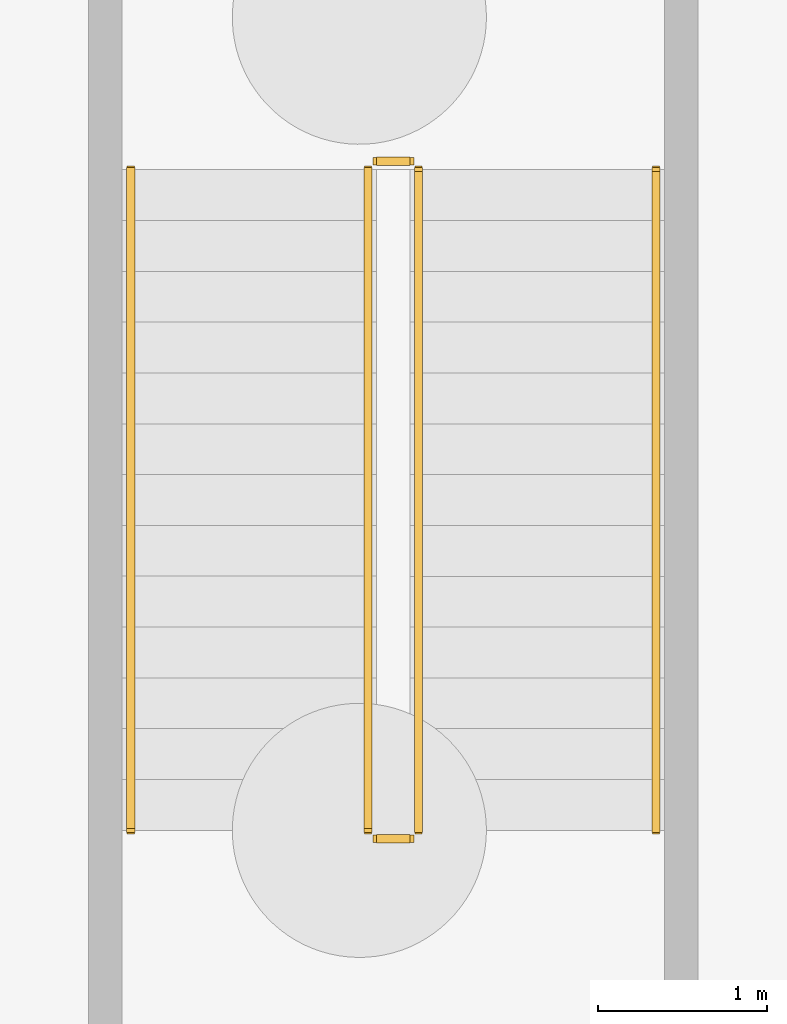
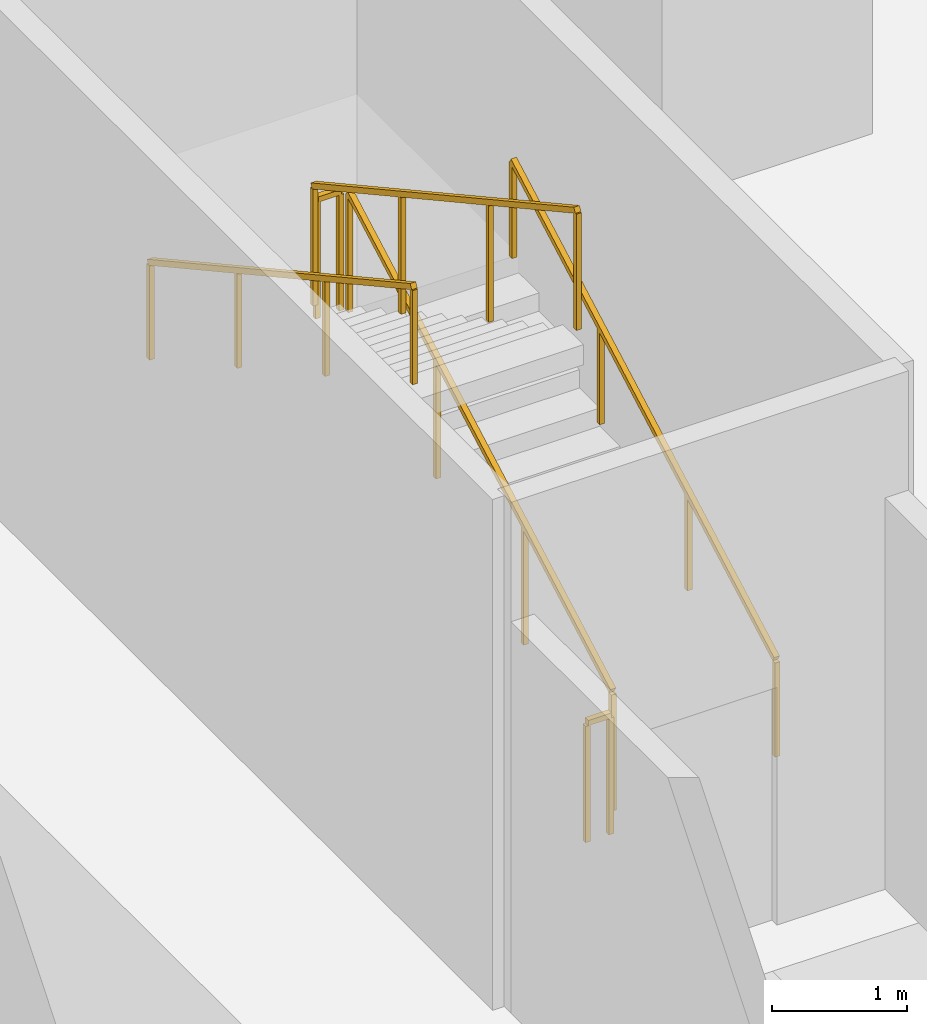
# One storey, part 11 of 14: 6 railings.
"""IFC4 building model written with IfcOpenShell, lengths in metres."""

from ifc_helpers import new_model, si_unit, direction, frame, origin, place, context, subcontext, project, spatial, rectangle, extrude, material, type_object, element, save


model = new_model("IFC4")

# Units and contexts
model_context = context("Model", 3, precision=1e-05, world=origin(), true_north=direction((0.0, 1.0)))
body_context = subcontext(model_context, "Body", "Model", "MODEL_VIEW")
ifc_project = project(units=[si_unit("LENGTHUNIT", "METRE"), si_unit("AREAUNIT", "SQUARE_METRE"), si_unit("VOLUMEUNIT", "CUBIC_METRE"), si_unit("PLANEANGLEUNIT", "RADIAN"), si_unit("MASSUNIT", "GRAM", prefix="KILO")], contexts=[model_context])

# Site, building, storey
site_placement = place(None, origin())
site = spatial("IfcSite", under=ifc_project, at=site_placement, CompositionType="ELEMENT")
building_placement = place(site_placement, origin())
building = spatial("IfcBuilding", under=site, at=building_placement, Name="Tanjung Sevakor Pilgrim Tower", CompositionType="ELEMENT")
storey_placement = place(building_placement, frame((0.0, 0.0, -9.239990234375)))
storey = spatial("IfcBuildingStorey", under=building, at=storey_placement, Name="B02", CompositionType="ELEMENT", Elevation=-9.239990234375)

# Railings
ifc_material_1 = material(Name="Steel S355J2", Category="steel")
railing_type_1 = type_object("IfcRailingType", Name="RL-STAIR-GUARD", PredefinedType="GUARDRAIL", material=ifc_material_1)
railing_1_placement = place(storey_placement, frame((6.75, 52.89990234375, 0.1650390625)))
element("IfcRailing", 1, at=railing_1_placement, inside=storey, type_object=railing_type_1, Name="B02 BS-2 stair guard 1", PredefinedType="GUARDRAIL", context=body_context, shape_type="SweptSolid", body=[
    extrude(rectangle(XDim=0.0479, YDim=0.0479), frame((0.0, 0.0, 1.076171875), z_axis=(0.0, 0.876221698874, 0.481908221991), x_axis=(-1.0, 0.0, 0.0)), (0.0, 0.0, 1.0), 4.451171875),
    extrude(rectangle(XDim=0.042, YDim=0.042), origin(), (0.0, 0.0, 1.0), 1.052001953125),
    extrude(rectangle(XDim=0.042, YDim=0.042), frame((0.0, 1.300048828125, 0.715087890625)), (0.0, 0.0, 1.0), 1.052001953125),
    extrude(rectangle(XDim=0.042, YDim=0.042), frame((0.0, 2.60009765625, 1.429931640625)), (0.0, 0.0, 1.0), 1.052001953125),
    extrude(rectangle(XDim=0.042, YDim=0.042), frame((0.0, 3.900146484375, 2.14501953125)), (0.0, 0.0, 1.0), 1.052001953125),
])
railing_2_placement = place(storey_placement, frame((6.699951171875, 56.85009765625, 2.31005859375)))
element("IfcRailing", 2, at=railing_2_placement, inside=storey, type_object=railing_type_1, Name="B02 BS-2 stair guard 2", PredefinedType="GUARDRAIL", context=body_context, shape_type="SweptSolid", body=[
    extrude(rectangle(XDim=0.0479, YDim=0.0479), frame((0.0, 0.0, 1.076171875), z_axis=(-1.0, 0.0, 0.0), x_axis=(0.0, -1.0, 0.0)), (0.0, 0.0, 1.0), 0.199951171875),
    extrude(rectangle(XDim=0.042, YDim=0.042), origin(), (0.0, 0.0, 1.0), 1.052001953125),
    extrude(rectangle(XDim=0.042, YDim=0.042), frame((-0.199951171875, 0.0, 0.0)), (0.0, 0.0, 1.0), 1.052001953125),
])
railing_3_placement = place(storey_placement, frame((6.449951171875, 56.800048828125, 2.47509765625)))
element("IfcRailing", 3, at=railing_3_placement, inside=storey, type_object=railing_type_1, Name="B02 BS-2 stair guard 3", PredefinedType="GUARDRAIL", context=body_context, shape_type="SweptSolid", body=[
    extrude(rectangle(XDim=0.0479, YDim=0.0479), frame((0.0, 0.0, 1.076171875), z_axis=(0.0, -0.876244859163, 0.481866108779), x_axis=(1.0, 0.0, 0.0)), (0.0, 0.0, 1.0), 4.450927734375),
    extrude(rectangle(XDim=0.042, YDim=0.042), origin(), (0.0, 0.0, 1.0), 1.052001953125),
    extrude(rectangle(XDim=0.042, YDim=0.042), frame((0.0, -1.300048828125, 0.71484375)), (0.0, 0.0, 1.0), 1.052001953125),
    extrude(rectangle(XDim=0.042, YDim=0.042), frame((0.0, -2.60009765625, 1.429931640625)), (0.0, 0.0, 1.0), 1.052001953125),
    extrude(rectangle(XDim=0.042, YDim=0.042), frame((0.0, -3.900146484375, 2.144775390625)), (0.0, 0.0, 1.0), 1.052001953125),
])
railing_4_placement = place(storey_placement, frame((6.699951171875, 52.85009765625, 0.0)))
element("IfcRailing", 4, at=railing_4_placement, inside=storey, type_object=railing_type_1, Name="B02 BS-2 stair guard 4", PredefinedType="GUARDRAIL", context=body_context, shape_type="SweptSolid", body=[
    extrude(rectangle(XDim=0.0479, YDim=0.0479), frame((0.0, 0.0, 1.076171875), z_axis=(-1.0, 0.0, 0.0), x_axis=(0.0, -1.0, 0.0)), (0.0, 0.0, 1.0), 0.199951171875),
    extrude(rectangle(XDim=0.042, YDim=0.042), origin(), (0.0, 0.0, 1.0), 1.052001953125),
    extrude(rectangle(XDim=0.042, YDim=0.042), frame((-0.199951171875, 0.0, 0.0)), (0.0, 0.0, 1.0), 1.052001953125),
])
ifc_material_2 = material(Name="Steel S355J2", Category="steel")
railing_type_2 = type_object("IfcRailingType", Name="RL-STAIR-HAND", PredefinedType="HANDRAIL", material=ifc_material_2)
railing_5_placement = place(storey_placement, frame((8.14990234375, 52.89990234375, 0.1650390625)))
element("IfcRailing", 5, at=railing_5_placement, inside=storey, type_object=railing_type_2, Name="B02 BS-2 stair handrail 1", PredefinedType="HANDRAIL", context=body_context, shape_type="SweptSolid", body=[
    extrude(rectangle(XDim=0.0479, YDim=0.0479), frame((0.0, 0.0, 0.8759765625), z_axis=(0.0, 0.876221698874, 0.481908221991), x_axis=(-1.0, 0.0, 0.0)), (0.0, 0.0, 1.0), 4.451171875),
    extrude(rectangle(XDim=0.042, YDim=0.042), origin(), (0.0, 0.0, 1.0), 0.851806640625),
    extrude(rectangle(XDim=0.042, YDim=0.042), frame((0.0, 1.300048828125, 0.715087890625)), (0.0, 0.0, 1.0), 0.851806640625),
    extrude(rectangle(XDim=0.042, YDim=0.042), frame((0.0, 2.60009765625, 1.429931640625)), (0.0, 0.0, 1.0), 0.851806640625),
    extrude(rectangle(XDim=0.042, YDim=0.042), frame((0.0, 3.900146484375, 2.14501953125)), (0.0, 0.0, 1.0), 0.851806640625),
])
railing_6_placement = place(storey_placement, frame((5.050048828125, 56.800048828125, 2.47509765625)))
element("IfcRailing", 6, at=railing_6_placement, inside=storey, type_object=railing_type_2, Name="B02 BS-2 stair handrail 2", PredefinedType="HANDRAIL", context=body_context, shape_type="SweptSolid", body=[
    extrude(rectangle(XDim=0.0479, YDim=0.0479), frame((0.0, 0.0, 0.8759765625), z_axis=(0.0, -0.876244859163, 0.481866108779), x_axis=(1.0, 0.0, 0.0)), (0.0, 0.0, 1.0), 4.450927734375),
    extrude(rectangle(XDim=0.042, YDim=0.042), origin(), (0.0, 0.0, 1.0), 0.851806640625),
    extrude(rectangle(XDim=0.042, YDim=0.042), frame((0.0, -1.300048828125, 0.71484375)), (0.0, 0.0, 1.0), 0.851806640625),
    extrude(rectangle(XDim=0.042, YDim=0.042), frame((0.0, -2.60009765625, 1.429931640625)), (0.0, 0.0, 1.0), 0.851806640625),
    extrude(rectangle(XDim=0.042, YDim=0.042), frame((0.0, -3.900146484375, 2.144775390625)), (0.0, 0.0, 1.0), 0.851806640625),
])

save(model, "model.ifc")
